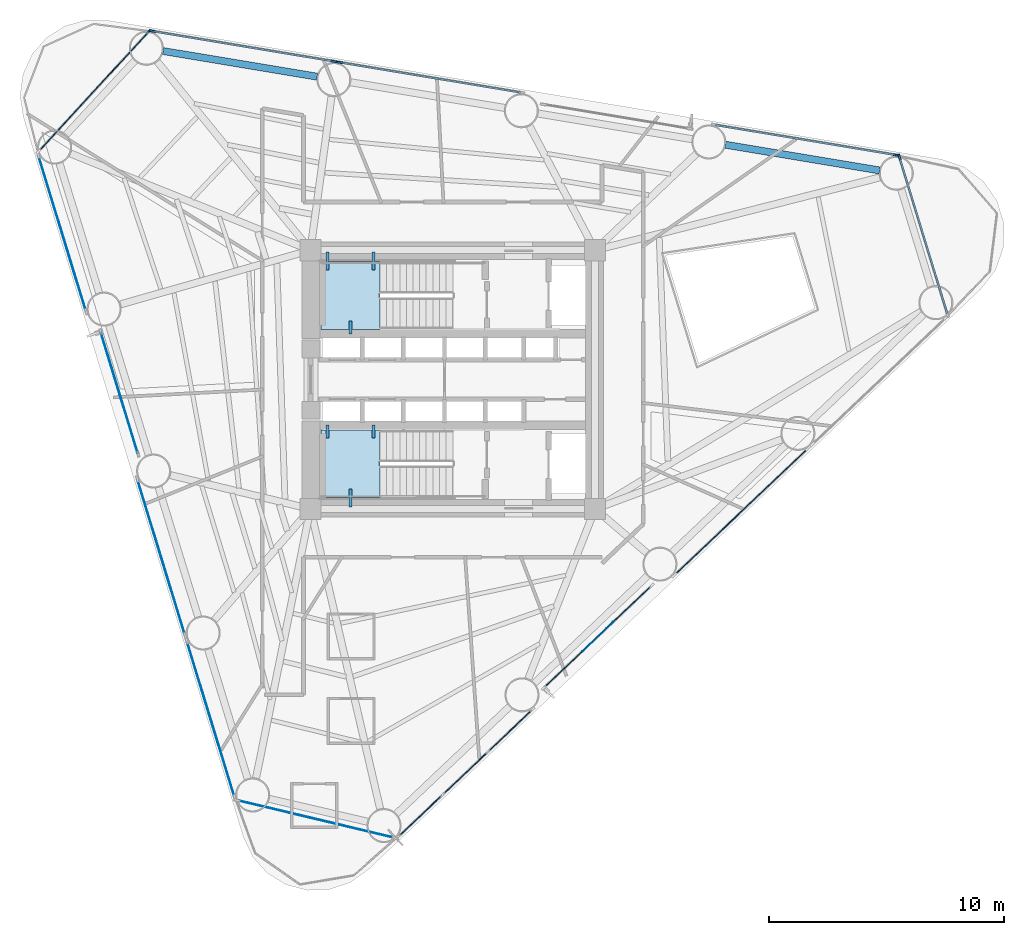
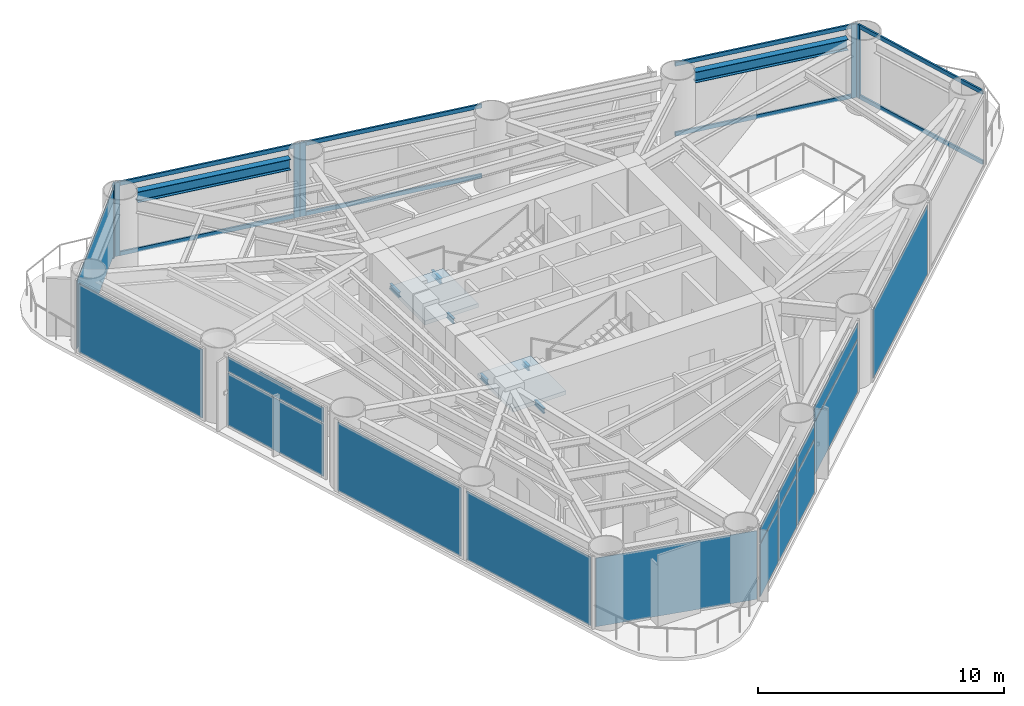
# One storey, part 4 of 10: 18 plates, 14 members, 8 beams, 2 slabs, 15 elements without a shape of their own.
"""IFC4 building model written with IfcOpenShell, lengths in metres."""

import ifcopenshell
import ifcopenshell.guid

model = None  # the IFC model being written
_history = None  # IfcOwnerHistory: only IFC2X3 demands one
_inside = {}  # id of a spatial element -> (the spatial element, [elements in it])
_under = {}  # id of a project, library or spatial element -> (it, [spatial elements below it])
_declared = {}  # id of a project -> (the project, [libraries it declares])
_typed = {}  # id of a type object -> (the type object, [elements of that type])
_made_of = {}  # id of a material, layer set ... -> (it, [elements and type objects made of it])


def new_model(schema):
    """Start an empty IFC model of exactly this schema.

    Asked for "IFC4X3", IfcOpenShell would pick the latest addendum, in which some entities
    have other attributes; the version numbers below select the first issue.
    IFC2X3 requires an IfcOwnerHistory on every rooted entity: one is made here for all.
    """
    global model, _history
    if schema == "IFC4X3":
        model = ifcopenshell.file(schema_version=(4, 3, 0, 0))
    else:
        model = ifcopenshell.file(schema=schema)
    _inside.clear()
    _under.clear()
    _declared.clear()
    _typed.clear()
    _made_of.clear()
    _history = None
    if model.schema == "IFC2X3":
        org = make("IfcOrganization", Name="unknown")
        user = make(
            "IfcPersonAndOrganization",
            ThePerson=make("IfcPerson", FamilyName="unknown"),
            TheOrganization=org,
        )
        app = make(
            "IfcApplication",
            ApplicationDeveloper=org,
            Version="unknown",
            ApplicationFullName="unknown",
            ApplicationIdentifier="unknown",
        )
        _history = make(
            "IfcOwnerHistory",
            OwningUser=user,
            OwningApplication=app,
            ChangeAction="ADDED",
            CreationDate=0,
        )
    return model


def make(cls, **values):
    """One entity of the class cls with the attributes given. An attribute that is None is left unset."""
    return model.create_entity(
        cls, **{name: value for name, value in values.items() if value is not None}
    )


def rooted(cls, **values):
    """An entity with a GlobalId (a new one), such as an element, a storey or a relation."""
    return make(cls, GlobalId=ifcopenshell.guid.new(), OwnerHistory=_history, **values)


def si_unit(unit_type, name, prefix=None):
    """IfcSIUnit, for example si_unit("LENGTHUNIT", "METRE", prefix="MILLI")."""
    return make("IfcSIUnit", UnitType=unit_type, Prefix=prefix, Name=name)


def assignment(units):
    """IfcUnitAssignment: the units of a project."""
    return None if units is None else make("IfcUnitAssignment", Units=units)


def point(xyz):
    """IfcCartesianPoint."""
    return None if xyz is None else make("IfcCartesianPoint", Coordinates=xyz)


def direction(xyz):
    """IfcDirection."""
    return None if xyz is None else make("IfcDirection", DirectionRatios=xyz)


def frame(location, z_axis=None, x_axis=None):
    """IfcAxis2Placement3D, a coordinate frame: its origin and axes. An axis left out is left unset."""
    return make(
        "IfcAxis2Placement3D",
        Location=point(location),
        Axis=direction(z_axis),
        RefDirection=direction(x_axis),
    )


def frame_2d(location, x_axis=None):
    """IfcAxis2Placement2D, a coordinate frame in the plane: its origin and x axis."""
    return make(
        "IfcAxis2Placement2D", Location=point(location), RefDirection=direction(x_axis)
    )


def origin():
    """The frame at (0, 0, 0) with its axes left unset."""
    return frame((0.0, 0.0, 0.0))


def origin_2d():
    """The frame at (0, 0) in the plane with its x axis left unset."""
    return frame_2d((0.0, 0.0))


def place(relative_to, where):
    """IfcLocalPlacement: puts the frame where relative to a parent placement (None: the world)."""
    return make(
        "IfcLocalPlacement", PlacementRelTo=relative_to, RelativePlacement=where
    )


def context(
    kind, dimensions, precision=None, world=None, true_north=None, identifier=None
):
    """IfcGeometricRepresentationContext, for example the 3D "Model" context."""
    return make(
        "IfcGeometricRepresentationContext",
        ContextIdentifier=identifier,
        ContextType=kind,
        CoordinateSpaceDimension=dimensions,
        Precision=precision,
        WorldCoordinateSystem=world,
        TrueNorth=true_north,
    )


def subcontext(parent, identifier, kind, view, scale=None):
    """IfcGeometricRepresentationSubContext, for example "Body" below "Model"."""
    return make(
        "IfcGeometricRepresentationSubContext",
        ContextIdentifier=identifier,
        ContextType=kind,
        ParentContext=parent,
        TargetScale=scale,
        TargetView=view,
    )


def project(units=None, contexts=None):
    """IfcProject with its units and contexts."""
    return rooted(
        "IfcProject",
        Name="project",
        RepresentationContexts=contexts,
        UnitsInContext=assignment(units),
    )


def spatial(cls, under=None, at=None, **own):
    """A site, building, storey or space (cls), placed at a placement, below another one or the project."""
    s = rooted(cls, ObjectPlacement=at, **own)
    if under is not None:
        _under.setdefault(under.id(), (under, []))[1].append(s)
    return s


def polyline(points):
    """IfcPolyline through the points."""
    return make("IfcPolyline", Points=[point(p) for p in points])


def profile(cls, at=None, kind="AREA", **sizes):
    """A parametric profile (cls). Its sizes go by their IFC names, for example OverallWidth=200.0."""
    return make(cls, ProfileType=kind, Position=at, **sizes)


def rectangle(**sizes):
    """IfcRectangleProfileDef."""
    return profile("IfcRectangleProfileDef", **sizes)


def i_section(**sizes):
    """IfcIShapeProfileDef."""
    return profile("IfcIShapeProfileDef", **sizes)


def outline(outer, holes=None, kind="AREA"):
    """IfcArbitraryClosedProfileDef: a profile drawn as a closed curve; with holes, ...WithVoids."""
    if holes is None:
        return make("IfcArbitraryClosedProfileDef", ProfileType=kind, OuterCurve=outer)
    return make(
        "IfcArbitraryProfileDefWithVoids",
        ProfileType=kind,
        OuterCurve=outer,
        InnerCurves=holes,
    )


def extrude(swept, where, along, depth):
    """IfcExtrudedAreaSolid: the profile swept, set in the frame where, extruded along a direction by depth."""
    return make(
        "IfcExtrudedAreaSolid",
        SweptArea=swept,
        Position=where,
        ExtrudedDirection=direction(along),
        Depth=depth,
    )


def shape(context_of_items, identifier, shape_type, items):
    """IfcShapeRepresentation: the items that make up one representation, for example the "Body"."""
    return make(
        "IfcShapeRepresentation",
        ContextOfItems=context_of_items,
        RepresentationIdentifier=identifier,
        RepresentationType=shape_type,
        Items=items,
    )


def source(mapping_origin, context_of_items, identifier, shape_type, items):
    """IfcRepresentationMap: a shape defined once, which mapped items show again and again."""
    return make(
        "IfcRepresentationMap",
        MappingOrigin=mapping_origin,
        MappedRepresentation=shape(context_of_items, identifier, shape_type, items),
    )


def transform(
    local_origin,
    x_axis=None,
    y_axis=None,
    z_axis=None,
    scale=None,
    scale2=None,
    scale3=None,
    uniform=True,
):
    """IfcCartesianTransformationOperator3D, or its non-uniform kind. x_axis, y_axis, z_axis: its Axis1, 2, 3."""
    if uniform:
        return make(
            "IfcCartesianTransformationOperator3D",
            Axis1=direction(x_axis),
            Axis2=direction(y_axis),
            LocalOrigin=point(local_origin),
            Scale=scale,
            Axis3=direction(z_axis),
        )
    return make(
        "IfcCartesianTransformationOperator3DnonUniform",
        Axis1=direction(x_axis),
        Axis2=direction(y_axis),
        LocalOrigin=point(local_origin),
        Scale=scale,
        Axis3=direction(z_axis),
        Scale2=scale2,
        Scale3=scale3,
    )


def mapped(mapping_source, mapping_target):
    """IfcMappedItem: shows the shape of a source again, moved by a transform."""
    return make(
        "IfcMappedItem", MappingSource=mapping_source, MappingTarget=mapping_target
    )


def material(Name=None, Category=None):
    """IfcMaterial."""
    return make("IfcMaterial", Name=Name, Category=Category)


def layer(
    of_material, thickness, ventilated=None, Name=None, Category=None, Priority=None
):
    """IfcMaterialLayer: one layer of a wall or slab, of a material (None: an air gap)."""
    return make(
        "IfcMaterialLayer",
        Material=of_material,
        LayerThickness=thickness,
        IsVentilated=ventilated,
        Name=Name,
        Category=Category,
        Priority=Priority,
    )


def layer_set(layers, Name=None):
    """IfcMaterialLayerSet."""
    return make("IfcMaterialLayerSet", MaterialLayers=layers, LayerSetName=Name)


def material_profile(
    of_material, cross_section, Name=None, Category=None, Priority=None
):
    """IfcMaterialProfile: a cross section and its material."""
    return make(
        "IfcMaterialProfile",
        Name=Name,
        Material=of_material,
        Profile=cross_section,
        Priority=Priority,
        Category=Category,
    )


def profile_set(profiles, Name=None, composite=None):
    """IfcMaterialProfileSet."""
    return make(
        "IfcMaterialProfileSet",
        Name=Name,
        MaterialProfiles=profiles,
        CompositeProfile=composite,
    )


def made_of(thing, what):
    """Note that an element or type object is made of a material, layer set ...; save() writes the relation."""
    if what is not None:
        _made_of.setdefault(what.id(), (what, []))[1].append(thing)
    return thing


def type_object(cls, material=None, **own):
    """A type object (cls), such as IfcWallType, which elements share."""
    return made_of(rooted(cls, **own), material)


def element(
    cls,
    number,
    at=None,
    inside=None,
    cuts=None,
    type_object=None,
    material=None,
    context=None,
    identifier="Body",
    shape_type=None,
    held_by="IfcProductDefinitionShape",
    body=None,
    shapes=None,
    **own,
):
    """One element of the class cls, such as IfcWall. Its Tag is "e" and its number.

    at: its placement. inside: the storey or other place that contains it. cuts: it is an
    opening in that element (IfcRelVoidsElement). A single representation is given by context,
    identifier, shape_type and body (its items); several are given by shapes. held_by: the class
    of the entity that holds the representations. save() writes the other relations.
    """
    e = rooted(cls, Tag="e%d" % number, ObjectPlacement=at, **own)
    if body is not None:
        shapes = [shape(context, identifier, shape_type, body)]
    if shapes is not None:
        e.Representation = make(held_by, Representations=shapes)
    if inside is not None:
        _inside.setdefault(inside.id(), (inside, []))[1].append(e)
    if cuts is not None:
        rooted(
            "IfcRelVoidsElement", RelatingBuildingElement=cuts, RelatedOpeningElement=e
        )
    if type_object is not None:
        _typed.setdefault(type_object.id(), (type_object, []))[1].append(e)
    return made_of(e, material)


def aggregate(whole, parts):
    """IfcRelAggregates: a whole, such as a stair, and the parts it consists of."""
    return rooted("IfcRelAggregates", RelatingObject=whole, RelatedObjects=parts)


def save(model, path):
    """Write the relations noted so far, then the file.

    IfcRelAggregates (storeys below a building ...), IfcRelContainedInSpatialStructure (elements
    in a storey), IfcRelDefinesByType, IfcRelAssociatesMaterial and IfcRelDeclares: one each for
    every whole, place, type object, material and project.
    """
    for whole, parts in _under.values():
        aggregate(whole, parts)
    for where, things in _inside.values():
        rooted(
            "IfcRelContainedInSpatialStructure",
            RelatedElements=things,
            RelatingStructure=where,
        )
    for kind, things in _typed.values():
        rooted("IfcRelDefinesByType", RelatedObjects=things, RelatingType=kind)
    for what, things in _made_of.values():
        rooted("IfcRelAssociatesMaterial", RelatedObjects=things, RelatingMaterial=what)
    for by, libraries in _declared.values():
        rooted("IfcRelDeclares", RelatingContext=by, RelatedDefinitions=libraries)
    model.write(path)


model = new_model("IFC4")

# Units and contexts
model_context = context("Model", 3, precision=1e-05, world=origin(), true_north=direction((0.0, 1.0)))
body_context = subcontext(model_context, "Body", "Model", "MODEL_VIEW")
ifc_project = project(units=[si_unit("LENGTHUNIT", "METRE"), si_unit("AREAUNIT", "SQUARE_METRE"), si_unit("VOLUMEUNIT", "CUBIC_METRE"), si_unit("PLANEANGLEUNIT", "RADIAN"), si_unit("MASSUNIT", "GRAM", prefix="KILO")], contexts=[model_context])

# Site, building, storey
site_placement = place(None, origin())
site = spatial("IfcSite", under=ifc_project, at=site_placement, CompositionType="ELEMENT")
building_placement = place(site_placement, origin())
building = spatial("IfcBuilding", under=site, at=building_placement, Name="Yunling Apex Tower", CompositionType="ELEMENT")
storey_placement = place(building_placement, frame((0.0, 0.0, 101.14990234375)))
storey = spatial("IfcBuildingStorey", under=building, at=storey_placement, Name="L25", CompositionType="ELEMENT", Elevation=101.14990234375)

# Beams
ifc_material_1 = material(Name="Steel Q355B", Category="steel")
ifc_material_profile_1 = material_profile(ifc_material_1, i_section(OverallWidth=0.125, OverallDepth=0.25, WebThickness=0.006103515625, FlangeThickness=0.009033203125, FilletRadius=0.011962890625, at=origin_2d()))
ifc_profile_set_1 = profile_set([ifc_material_profile_1], Name="Steel Q355B")
beam_type_1 = type_object("IfcBeamType", Name="BL-LNT-1", PredefinedType="LINTEL", material=ifc_profile_set_1)
shared_shape_1 = source(origin(), body_context, "Body", "SweptSolid", [
    extrude(i_section(OverallWidth=0.125, OverallDepth=0.25, WebThickness=0.006103515625, FlangeThickness=0.009033203125, FilletRadius=0.011962890625, at=origin_2d()), origin(), (0.0, 0.0, 1.0), 0.760009765625),
])
for number, where, z_axis, x_axis, name in (
    (1, (-5.320068359375, 5.419921875, 1.55517578125), (0.0, -1.0, 0.0), (1.0, 0.0, 0.0), "L25 ST-1 Landing Bearing Corbel 1-1"),
    (2, (-3.3701171875, 5.419921875, 1.55517578125), (0.0, -1.0, 0.0), (1.0, 0.0, 0.0), "L25 ST-1 Landing Bearing Corbel 1-2"),
    (3, (-4.344970703125, -5.419921875, 1.55517578125), (0.0, 1.0, 0.0), (-1.0, 0.0, 0.0), "L25 ST-2 Landing Bearing Corbel 1-3"),
):
    element("IfcBeam", number, at=place(storey_placement, frame(where, z_axis=z_axis, x_axis=x_axis)), inside=storey, type_object=beam_type_1, Name=name, PredefinedType="LINTEL", context=body_context, shape_type="MappedRepresentation", body=[
        mapped(shared_shape_1, transform((0.0, 0.0, 0.0), scale=1.0)),
    ])
shared_shape_2 = source(origin(), body_context, "Body", "SweptSolid", [
    extrude(i_section(OverallWidth=0.125, OverallDepth=0.25, WebThickness=0.006103515625, FlangeThickness=0.009033203125, FilletRadius=0.011962890625, at=origin_2d()), origin(), (0.0, 0.0, 1.0), 0.550048828125),
])
for number, where, z_axis, x_axis, name in (
    (4, (-4.344970703125, 1.93994140625, 1.55517578125), (0.0, 1.0, 0.0), (-1.0, 0.0, 0.0), "L25 ST-1 Landing Bearing Corbel 1-3"),
    (5, (-5.320068359375, -1.93994140625, 1.55517578125), (0.0, -1.0, 0.0), (1.0, 0.0, 0.0), "L25 ST-2 Landing Bearing Corbel 1-1"),
    (6, (-3.3701171875, -1.93994140625, 1.55517578125), (0.0, -1.0, 0.0), (1.0, 0.0, 0.0), "L25 ST-2 Landing Bearing Corbel 1-2"),
):
    element("IfcBeam", number, at=place(storey_placement, frame(where, z_axis=z_axis, x_axis=x_axis)), inside=storey, type_object=beam_type_1, Name=name, PredefinedType="LINTEL", context=body_context, shape_type="MappedRepresentation", body=[
        mapped(shared_shape_2, transform((0.0, 0.0, 0.0), scale=1.0)),
    ])
ifc_material_profile_2 = material_profile(ifc_material_1, i_section(OverallWidth=0.300048828125, OverallDepth=0.5400390625, WebThickness=0.011962890625, FlangeThickness=0.02001953125, FilletRadius=0.02392578125, at=origin_2d()))
ifc_profile_set_2 = profile_set([ifc_material_profile_2], Name="Steel Q355B")
beam_type_2 = type_object("IfcBeamType", Name="BP-SPN-1", PredefinedType="SPANDREL", material=ifc_profile_set_2)
shared_shape_3 = source(origin(), body_context, "Body", "SweptSolid", [
    extrude(i_section(OverallWidth=0.300048828125, OverallDepth=0.5400390625, WebThickness=0.011962890625, FlangeThickness=0.02001953125, FilletRadius=0.02392578125, at=origin_2d()), origin(), (0.0, 0.0, 1.0), 6.641845703125),
])
for number, where, z_axis, x_axis, name in (
    (7, (18.14599609375, 8.89111328125, 3.295166015625), (-0.986396904036, 0.164381105081, 0.0), (-0.164381105081, -0.986396904036, 0.0), "L25 Perimeter Spandrel Beam 6"),
    (8, (-5.763671875, 12.875244140625, 3.295166015625), (-0.986402863526, 0.164345340146, 0.0), (-0.164345340146, -0.986402863526, 0.0), "L25 Perimeter Spandrel Beam 9"),
):
    element("IfcBeam", number, at=place(storey_placement, frame(where, z_axis=z_axis, x_axis=x_axis)), inside=storey, type_object=beam_type_2, Name=name, PredefinedType="SPANDREL", context=body_context, shape_type="MappedRepresentation", body=[
        mapped(shared_shape_3, transform((0.0, 0.0, 0.0), scale=1.0)),
    ])

# Curtain wall, member
ifc_material_2 = material(Name="Bronze anodised aluminium", Category="aluminium")
ifc_layer_1 = layer(ifc_material_2, 0.260009765625)
ifc_layer_set_1 = layer_set([ifc_layer_1], Name="Bronze anodised aluminium")
curtain_wall_type = type_object("IfcCurtainWallType", Name="CW-SYS-2", PredefinedType="NOTDEFINED", material=ifc_layer_set_1)
curtain_wall_1_placement = place(storey_placement, origin())
curtain_wall_1 = element("IfcCurtainWall", 9, at=curtain_wall_1_placement, inside=storey, type_object=curtain_wall_type, Name="CW-L25-CRN1", PredefinedType="NOTDEFINED")
ifc_material_profile_3 = material_profile(ifc_material_2, rectangle(XDim=0.0849609375, YDim=0.260009765625, at=origin_2d()))
ifc_profile_set_3 = profile_set([ifc_material_profile_3], Name="Bronze anodised aluminium")
member_type_1 = type_object("IfcMemberType", Name="CW-MUL-2", PredefinedType="MULLION", material=ifc_profile_set_3)
shared_shape_4 = source(origin(), body_context, "Body", "SweptSolid", [
    extrude(rectangle(XDim=0.0849609375, YDim=0.260009765625, at=origin_2d()), origin(), (0.0, 0.0, 1.0), 3.664794921875),
])
member_1_placement = place(storey_placement, frame((18.9892578125, 9.46240234375, -0.0498046875), z_axis=(0.0, 0.0, 1.0), x_axis=(-0.95630374567, -0.292375009223, 0.0)))
member_1 = element("IfcMember", 10, at=member_1_placement, type_object=member_type_1, Name="CW-SYS-2 mullion 2", PredefinedType="MULLION", context=body_context, shape_type="MappedRepresentation", body=[
    mapped(shared_shape_4, transform((0.0, 0.0, 0.0), scale=1.0)),
])

curtain_wall_2_placement = place(storey_placement, origin())
curtain_wall_2 = element("IfcCurtainWall", 11, at=curtain_wall_2_placement, inside=storey, type_object=curtain_wall_type, Name="CW-L25-F2-B1", PredefinedType="NOTDEFINED")
member_2_placement = place(storey_placement, frame((18.859375, 9.54296875, -0.0498046875), z_axis=(0.0, 0.0, 1.0), x_axis=(-0.16436008369, -0.98640040698, 0.0)))
member_2 = element("IfcMember", 12, at=member_2_placement, type_object=member_type_1, Name="CW-SYS-2 mullion 1", PredefinedType="MULLION", context=body_context, shape_type="MappedRepresentation", body=[
    mapped(shared_shape_4, transform((0.0, 0.0, 0.0), scale=1.0)),
])

curtain_wall_3_placement = place(storey_placement, origin())
curtain_wall_3 = element("IfcCurtainWall", 13, at=curtain_wall_3_placement, inside=storey, type_object=curtain_wall_type, Name="CW-L25-F2-B3", PredefinedType="NOTDEFINED")
member_3_placement = place(storey_placement, frame((-4.80859375, 13.486572265625, -0.0498046875), z_axis=(0.0, 0.0, 1.0), x_axis=(-0.164362130784, -0.986400065878, 0.0)))
member_3 = element("IfcMember", 14, at=member_3_placement, type_object=member_type_1, Name="CW-SYS-2 mullion 2", PredefinedType="MULLION", context=body_context, shape_type="MappedRepresentation", body=[
    mapped(shared_shape_4, transform((0.0, 0.0, 0.0), scale=1.0)),
])

# Curtain wall, members
curtain_wall_4_placement = place(storey_placement, origin())
curtain_wall_4 = element("IfcCurtainWall", 15, at=curtain_wall_4_placement, inside=storey, type_object=curtain_wall_type, Name="CW-L25-F2-B4", PredefinedType="NOTDEFINED")
member_4_placement = place(storey_placement, frame((-5.05029296875, 13.52685546875, -0.0498046875), z_axis=(0.0, 0.0, 1.0), x_axis=(-0.16436008369, -0.98640040698, 0.0)))
member_4 = element("IfcMember", 16, at=member_4_placement, type_object=member_type_1, Name="CW-SYS-2 mullion 1", PredefinedType="MULLION", context=body_context, shape_type="MappedRepresentation", body=[
    mapped(shared_shape_4, transform((0.0, 0.0, 0.0), scale=1.0)),
])
member_5_placement = place(storey_placement, frame((-12.778564453125, 14.814697265625, -0.0498046875), z_axis=(0.0, 0.0, 1.0), x_axis=(-0.16436008369, -0.98640040698, 0.0)))
member_5 = element("IfcMember", 17, at=member_5_placement, type_object=member_type_1, Name="CW-SYS-2 mullion 2", PredefinedType="MULLION", context=body_context, shape_type="MappedRepresentation", body=[
    mapped(shared_shape_4, transform((0.0, 0.0, 0.0), scale=1.0)),
])

# Curtain wall, member
curtain_wall_5_placement = place(storey_placement, origin())
curtain_wall_5 = element("IfcCurtainWall", 18, at=curtain_wall_5_placement, inside=storey, type_object=curtain_wall_type, Name="CW-L25-CRN2", PredefinedType="NOTDEFINED")
member_6_placement = place(storey_placement, frame((-12.931396484375, 14.78369140625, -0.0498046875), z_axis=(0.0, 0.0, 1.0), x_axis=(0.736184624933, -0.676780760669, 0.0)))
member_6 = element("IfcMember", 19, at=member_6_placement, type_object=member_type_1, Name="CW-SYS-2 mullion 1", PredefinedType="MULLION", context=body_context, shape_type="MappedRepresentation", body=[
    mapped(shared_shape_4, transform((0.0, 0.0, 0.0), scale=1.0)),
])

# Member
ifc_material_profile_4 = material_profile(ifc_material_2, rectangle(XDim=0.0849609375, YDim=0.199951171875, at=origin_2d()))
ifc_profile_set_4 = profile_set([ifc_material_profile_4], Name="Bronze anodised aluminium")
member_type_2 = type_object("IfcMemberType", Name="CW-TRN-2", PredefinedType="USERDEFINED", material=ifc_profile_set_4)
shared_shape_5 = source(origin(), body_context, "Body", "SweptSolid", [
    extrude(rectangle(XDim=0.0849609375, YDim=0.199951171875, at=origin_2d()), origin(), (0.0, 0.0, 1.0), 7.75830078125),
])
member_7_placement = place(storey_placement, frame((18.821533203125, 9.549072265625, 0.04248046875), z_axis=(-0.986400726912, 0.164358163615, 0.0), x_axis=(-0.164358163615, -0.986400726912, 0.0)))
member_7 = element("IfcMember", 20, at=member_7_placement, type_object=member_type_2, Name="CW-SYS-2 transom 1.1", ObjectType="TRANSOM", PredefinedType="USERDEFINED", context=body_context, shape_type="MappedRepresentation", body=[
    mapped(shared_shape_5, transform((0.0, 0.0, 0.0), scale=1.0)),
])

member_8_placement = place(storey_placement, frame((18.821533203125, 9.549072265625, 3.522705078125), z_axis=(-0.986400726912, 0.164358163615, 0.0), x_axis=(-0.164358163615, -0.986400726912, 0.0)))
member_8 = element("IfcMember", 21, at=member_8_placement, type_object=member_type_2, Name="CW-SYS-2 transom 1.2", ObjectType="TRANSOM", PredefinedType="USERDEFINED", context=body_context, shape_type="MappedRepresentation", body=[
    mapped(shared_shape_5, transform((0.0, 0.0, 0.0), scale=1.0)),
])

aggregate(curtain_wall_2, [member_2, member_7, member_8])

member_9_placement = place(storey_placement, frame((2.8818359375, 12.205078125, 0.04248046875), z_axis=(-0.986400726912, 0.164358163615, 0.0), x_axis=(-0.164358163615, -0.986400726912, 0.0)))
member_9 = element("IfcMember", 22, at=member_9_placement, type_object=member_type_2, Name="CW-SYS-2 transom 1.1", ObjectType="TRANSOM", PredefinedType="USERDEFINED", context=body_context, shape_type="MappedRepresentation", body=[
    mapped(shared_shape_5, transform((0.0, 0.0, 0.0), scale=1.0)),
])

member_10_placement = place(storey_placement, frame((2.8818359375, 12.205078125, 3.522705078125), z_axis=(-0.986400726912, 0.164358163615, 0.0), x_axis=(-0.164358163615, -0.986400726912, 0.0)))
member_10 = element("IfcMember", 23, at=member_10_placement, type_object=member_type_2, Name="CW-SYS-2 transom 1.2", ObjectType="TRANSOM", PredefinedType="USERDEFINED", context=body_context, shape_type="MappedRepresentation", body=[
    mapped(shared_shape_5, transform((0.0, 0.0, 0.0), scale=1.0)),
])

aggregate(curtain_wall_3, [member_3, member_9, member_10])

member_11_placement = place(storey_placement, frame((-5.088134765625, 13.533203125, 0.04248046875), z_axis=(-0.986400726912, 0.164358163615, 0.0), x_axis=(-0.164358163615, -0.986400726912, 0.0)))
member_11 = element("IfcMember", 24, at=member_11_placement, type_object=member_type_2, Name="CW-SYS-2 transom 1.1", ObjectType="TRANSOM", PredefinedType="USERDEFINED", context=body_context, shape_type="MappedRepresentation", body=[
    mapped(shared_shape_5, transform((0.0, 0.0, 0.0), scale=1.0)),
])

member_12_placement = place(storey_placement, frame((-5.088134765625, 13.533203125, 3.522705078125), z_axis=(-0.986400726912, 0.164358163615, 0.0), x_axis=(-0.164358163615, -0.986400726912, 0.0)))
member_12 = element("IfcMember", 25, at=member_12_placement, type_object=member_type_2, Name="CW-SYS-2 transom 1.2", ObjectType="TRANSOM", PredefinedType="USERDEFINED", context=body_context, shape_type="MappedRepresentation", body=[
    mapped(shared_shape_5, transform((0.0, 0.0, 0.0), scale=1.0)),
])

aggregate(curtain_wall_4, [member_4, member_5, member_11, member_12])

shared_shape_6 = source(origin(), body_context, "Body", "SweptSolid", [
    extrude(rectangle(XDim=0.0849609375, YDim=0.199951171875, at=origin_2d()), origin(), (0.0, 0.0, 1.0), 6.91748046875),
])
member_13_placement = place(storey_placement, frame((21.02294921875, 2.810546875, 0.04248046875), z_axis=(-0.292369169584, 0.956305531029, 0.0), x_axis=(-0.956305531029, -0.292369169584, 0.0)))
member_13 = element("IfcMember", 26, at=member_13_placement, type_object=member_type_2, Name="CW-SYS-2 transom 1.1", ObjectType="TRANSOM", PredefinedType="USERDEFINED", context=body_context, shape_type="MappedRepresentation", body=[
    mapped(shared_shape_6, transform((0.0, 0.0, 0.0), scale=1.0)),
])

member_14_placement = place(storey_placement, frame((21.02294921875, 2.810546875, 3.522705078125), z_axis=(-0.292369169584, 0.956305531029, 0.0), x_axis=(-0.956305531029, -0.292369169584, 0.0)))
member_14 = element("IfcMember", 27, at=member_14_placement, type_object=member_type_2, Name="CW-SYS-2 transom 1.2", ObjectType="TRANSOM", PredefinedType="USERDEFINED", context=body_context, shape_type="MappedRepresentation", body=[
    mapped(shared_shape_6, transform((0.0, 0.0, 0.0), scale=1.0)),
])

aggregate(curtain_wall_1, [member_1, member_13, member_14])

# Stair, slab
ifc_material_3 = material(Name="Concrete C40", Category="concrete")
stair_type = type_object("IfcStairType", Name="ST-TWR-1", PredefinedType="HALF_TURN_STAIR", material=ifc_material_3)
stair_1_placement = place(storey_placement, origin())
stair_1 = element("IfcStair", 28, at=stair_1_placement, inside=storey, type_object=stair_type, Name="L25 North Core Smokeproof Exit Stair ST-1", PredefinedType="HALF_TURN_STAIR")
ifc_layer_2 = layer(ifc_material_3, 0.195068359375)
ifc_layer_set_2 = layer_set([ifc_layer_2], Name="Concrete C40")
slab_type = type_object("IfcSlabType", Name="SL-LND-1", PredefinedType="LANDING", material=ifc_layer_set_2)
slab_1_placement = place(storey_placement, frame((0.0, 0.0, 1.68017578125)))
slab_1 = element("IfcSlab", 29, at=slab_1_placement, type_object=slab_type, Name="ST-1 landing 1", PredefinedType="LANDING", context=body_context, shape_type="SweptSolid", body=[
    extrude(outline(polyline([(-3.090087890625, 5.010009765625), (-5.60009765625, 5.010009765625), (-5.60009765625, 2.139892578125), (-3.090087890625, 2.139892578125), (-3.090087890625, 5.010009765625)])), origin(), (0.0, 0.0, 1.0), 0.19482421875),
])
aggregate(stair_1, [slab_1])

stair_2_placement = place(storey_placement, origin())
stair_2 = element("IfcStair", 30, at=stair_2_placement, inside=storey, type_object=stair_type, Name="L25 South Core Smokeproof Exit Stair ST-2", PredefinedType="HALF_TURN_STAIR")
slab_2_placement = place(storey_placement, frame((0.0, 0.0, 1.68017578125)))
slab_2 = element("IfcSlab", 31, at=slab_2_placement, type_object=slab_type, Name="ST-2 landing 1", PredefinedType="LANDING", context=body_context, shape_type="SweptSolid", body=[
    extrude(outline(polyline([(-3.090087890625, -2.139892578125), (-5.60009765625, -2.139892578125), (-5.60009765625, -5.010009765625), (-3.090087890625, -5.010009765625), (-3.090087890625, -2.139892578125)])), origin(), (0.0, 0.0, 1.0), 0.19482421875),
])
aggregate(stair_2, [slab_2])

# Plates
ifc_layer_3 = layer(ifc_material_2, 0.011962890625)
ifc_layer_set_3 = layer_set([ifc_layer_3], Name="Bronze anodised aluminium")
plate_type_1 = type_object("IfcPlateType", Name="SP-SHT-1", PredefinedType="SHEET", material=ifc_layer_set_3)
shared_shape_7 = source(origin(), body_context, "Body", "SweptSolid", [
    extrude(rectangle(XDim=1.800048828125, YDim=0.02392578125, at=origin_2d()), origin(), (0.0, 0.0, 1.0), 0.43994140625),
])
for number, where, z_axis, x_axis, name in (
    (32, (6.16455078125, -10.928466796875, 3.1650390625), (0.0, 0.0, 1.0), (0.725854756355, 0.687848001144, 0.0), "SP-GRV-L25-F1"),
    (33, (-14.17138671875, -0.56787109375, 3.1650390625), (0.0, 0.0, 1.0), (0.292371704723, -0.956304755963, 0.0), "SP-GRV-L25-F3"),
):
    element("IfcPlate", number, at=place(storey_placement, frame(where, z_axis=z_axis, x_axis=x_axis)), inside=storey, type_object=plate_type_1, Name=name, PredefinedType="SHEET", context=body_context, shape_type="MappedRepresentation", body=[
        mapped(shared_shape_7, transform((0.0, 0.0, 0.0), scale=1.0)),
    ])

# Curtain wall, plates
curtain_wall_6_placement = place(storey_placement, origin())
curtain_wall_6 = element("IfcCurtainWall", 34, at=curtain_wall_6_placement, inside=storey, type_object=curtain_wall_type, Name="CW-L25-F1-B1", PredefinedType="NOTDEFINED")
ifc_material_4 = material(Name="Bronze tinted low-E glass", Category="glass")
ifc_layer_4 = layer(ifc_material_4, 0.033935546875)
ifc_layer_set_4 = layer_set([ifc_layer_4], Name="Bronze tinted low-E glass")
plate_type_2 = type_object("IfcPlateType", Name="CW-PNL-2", PredefinedType="CURTAIN_PANEL", material=ifc_layer_set_4)
shared_shape_8 = source(origin(), body_context, "Body", "SweptSolid", [
    extrude(rectangle(XDim=2.52880859375, YDim=0.033935546875, at=origin_2d()), origin(), (0.0, 0.0, 1.0), 2.60400390625),
])
plate_1_placement = place(storey_placement, frame((-1.366943359375, -18.5341796875, 0.076904296875), z_axis=(0.0, 0.0, 1.0), x_axis=(0.72584218686, 0.687861264918, 0.0)))
plate_1 = element("IfcPlate", 35, at=plate_1_placement, type_object=plate_type_2, Name="CW-SYS-2 panel 1.1", PredefinedType="CURTAIN_PANEL", context=body_context, shape_type="MappedRepresentation", body=[
    mapped(shared_shape_8, transform((0.0, 0.0, 0.0), scale=1.0)),
])
plate_2_placement = place(storey_placement, frame((2.4345703125, -14.931640625, 0.076904296875), z_axis=(0.0, 0.0, 1.0), x_axis=(0.72584218686, 0.687861264918, 0.0)))
plate_2 = element("IfcPlate", 36, at=plate_2_placement, type_object=plate_type_2, Name="CW-SYS-2 panel 3.1", PredefinedType="CURTAIN_PANEL", context=body_context, shape_type="MappedRepresentation", body=[
    mapped(shared_shape_8, transform((0.0, 0.0, 0.0), scale=1.0)),
])
shared_shape_9 = source(origin(), body_context, "Body", "SweptSolid", [
    extrude(rectangle(XDim=2.52880859375, YDim=0.033935546875, at=origin_2d()), origin(), (0.0, 0.0, 1.0), 0.739013671875),
])
plate_3_placement = place(storey_placement, frame((-1.366943359375, -18.5341796875, 2.74951171875), z_axis=(0.0, 0.0, 1.0), x_axis=(0.72584218686, 0.687861264918, 0.0)))
plate_3 = element("IfcPlate", 37, at=plate_3_placement, type_object=plate_type_2, Name="CW-SYS-2 panel 1.2", PredefinedType="CURTAIN_PANEL", context=body_context, shape_type="MappedRepresentation", body=[
    mapped(shared_shape_9, transform((0.0, 0.0, 0.0), scale=1.0)),
])
plate_4_placement = place(storey_placement, frame((2.4345703125, -14.931640625, 2.74951171875), z_axis=(0.0, 0.0, 1.0), x_axis=(0.72584218686, 0.687861264918, 0.0)))
plate_4 = element("IfcPlate", 38, at=plate_4_placement, type_object=plate_type_2, Name="CW-SYS-2 panel 3.2", PredefinedType="CURTAIN_PANEL", context=body_context, shape_type="MappedRepresentation", body=[
    mapped(shared_shape_9, transform((0.0, 0.0, 0.0), scale=1.0)),
])
shared_shape_10 = source(origin(), body_context, "Body", "SweptSolid", [
    extrude(rectangle(XDim=2.571533203125, YDim=0.033935546875, at=origin_2d()), origin(), (0.0, 0.0, 1.0), 2.60400390625),
])
plate_5_placement = place(storey_placement, frame((0.53369140625, -16.73291015625, 0.076904296875), z_axis=(0.0, 0.0, 1.0), x_axis=(0.72584218686, 0.687861264918, 0.0)))
plate_5 = element("IfcPlate", 39, at=plate_5_placement, type_object=plate_type_2, Name="CW-SYS-2 panel 2.1", PredefinedType="CURTAIN_PANEL", context=body_context, shape_type="MappedRepresentation", body=[
    mapped(shared_shape_10, transform((0.0, 0.0, 0.0), scale=1.0)),
])
shared_shape_11 = source(origin(), body_context, "Body", "SweptSolid", [
    extrude(rectangle(XDim=2.571533203125, YDim=0.033935546875, at=origin_2d()), origin(), (0.0, 0.0, 1.0), 0.739013671875),
])
plate_6_placement = place(storey_placement, frame((0.53369140625, -16.73291015625, 2.74951171875), z_axis=(0.0, 0.0, 1.0), x_axis=(0.72584218686, 0.687861264918, 0.0)))
plate_6 = element("IfcPlate", 40, at=plate_6_placement, type_object=plate_type_2, Name="CW-SYS-2 panel 2.2", PredefinedType="CURTAIN_PANEL", context=body_context, shape_type="MappedRepresentation", body=[
    mapped(shared_shape_11, transform((0.0, 0.0, 0.0), scale=1.0)),
])
aggregate(curtain_wall_6, [plate_1, plate_3, plate_5, plate_6, plate_2, plate_4])

curtain_wall_7_placement = place(storey_placement, origin())
curtain_wall_7 = element("IfcCurtainWall", 41, at=curtain_wall_7_placement, inside=storey, type_object=curtain_wall_type, Name="CW-L25-F1-B2", PredefinedType="NOTDEFINED")
shared_shape_12 = source(origin(), body_context, "Body", "SweptSolid", [
    extrude(rectangle(XDim=6.236328125, YDim=0.033935546875, at=origin_2d()), origin(), (0.0, 0.0, 1.0), 2.60400390625),
])
plate_7_placement = place(storey_placement, frame((6.16455078125, -10.928466796875, 0.076904296875), z_axis=(0.0, 0.0, 1.0), x_axis=(0.725858092234, 0.687844480924, 0.0)))
plate_7 = element("IfcPlate", 42, at=plate_7_placement, type_object=plate_type_2, Name="CW-SYS-2 panel 1.1", PredefinedType="CURTAIN_PANEL", context=body_context, shape_type="MappedRepresentation", body=[
    mapped(shared_shape_12, transform((0.0, 0.0, 0.0), scale=1.0)),
])
shared_shape_13 = source(origin(), body_context, "Body", "SweptSolid", [
    extrude(rectangle(XDim=6.236328125, YDim=0.033935546875, at=origin_2d()), origin(), (0.0, 0.0, 1.0), 0.739013671875),
])
plate_8_placement = place(storey_placement, frame((6.16455078125, -10.928466796875, 2.74951171875), z_axis=(0.0, 0.0, 1.0), x_axis=(0.725858092234, 0.687844480924, 0.0)))
plate_8 = element("IfcPlate", 43, at=plate_8_placement, type_object=plate_type_2, Name="CW-SYS-2 panel 1.2", PredefinedType="CURTAIN_PANEL", context=body_context, shape_type="MappedRepresentation", body=[
    mapped(shared_shape_13, transform((0.0, 0.0, 0.0), scale=1.0)),
])
aggregate(curtain_wall_7, [plate_7, plate_8])

# Curtain wall, plate
curtain_wall_8_placement = place(storey_placement, origin())
curtain_wall_8 = element("IfcCurtainWall", 44, at=curtain_wall_8_placement, inside=storey, type_object=curtain_wall_type, Name="CW-L25-F1-B3", PredefinedType="NOTDEFINED")
shared_shape_14 = source(origin(), body_context, "Body", "SweptSolid", [
    extrude(rectangle(XDim=7.766357421875, YDim=0.033935546875, at=origin_2d()), origin(), (0.0, 0.0, 1.0), 3.41162109375),
])
plate_9_placement = place(storey_placement, frame((12.26318359375, -5.61767578125, 0.076904296875), z_axis=(0.0, 0.0, 1.0), x_axis=(0.72584218686, 0.687861264918, 0.0)))
plate_9 = element("IfcPlate", 45, at=plate_9_placement, type_object=plate_type_2, Name="CW-SYS-2 panel 1.1", PredefinedType="CURTAIN_PANEL", context=body_context, shape_type="MappedRepresentation", body=[
    mapped(shared_shape_14, transform((0.0, 0.0, 0.0), scale=1.0)),
])
aggregate(curtain_wall_8, [plate_9])

# Plate
shared_shape_15 = source(origin(), body_context, "Body", "SweptSolid", [
    extrude(rectangle(XDim=6.83935546875, YDim=0.033935546875, at=origin_2d()), origin(), (0.0, 0.0, 1.0), 3.41162109375),
])
plate_10_placement = place(storey_placement, frame((-15.26904296875, 12.240966796875, 0.076904296875), z_axis=(0.0, 0.0, 1.0), x_axis=(-0.676780760669, -0.736184624933, 0.0)))
plate_10 = element("IfcPlate", 46, at=plate_10_placement, type_object=plate_type_2, Name="CW-SYS-2 panel 1.1", PredefinedType="CURTAIN_PANEL", context=body_context, shape_type="MappedRepresentation", body=[
    mapped(shared_shape_15, transform((0.0, 0.0, 0.0), scale=1.0)),
])

aggregate(curtain_wall_5, [member_6, plate_10])

# Curtain wall, plate
curtain_wall_9_placement = place(storey_placement, origin())
curtain_wall_9 = element("IfcCurtainWall", 47, at=curtain_wall_9_placement, inside=storey, type_object=curtain_wall_type, Name="CW-L25-CRN3", PredefinedType="NOTDEFINED")
plate_11_placement = place(storey_placement, frame((-5.8134765625, -18.6865234375, 0.076904296875), z_axis=(0.0, 0.0, 1.0), x_axis=(0.972740811528, -0.23189504865, 0.0)))
plate_11 = element("IfcPlate", 48, at=plate_11_placement, type_object=plate_type_2, Name="CW-SYS-2 panel 1.1", PredefinedType="CURTAIN_PANEL", context=body_context, shape_type="MappedRepresentation", body=[
    mapped(shared_shape_15, transform((0.0, 0.0, 0.0), scale=1.0)),
])
aggregate(curtain_wall_9, [plate_11])

curtain_wall_10_placement = place(storey_placement, origin())
curtain_wall_10 = element("IfcCurtainWall", 49, at=curtain_wall_10_placement, inside=storey, type_object=curtain_wall_type, Name="CW-L25-F3-B1", PredefinedType="NOTDEFINED")
shared_shape_16 = source(origin(), body_context, "Body", "SweptSolid", [
    extrude(rectangle(XDim=6.88671875, YDim=0.033935546875, at=origin_2d()), origin(), (0.0, 0.0, 1.0), 3.41162109375),
])
plate_12_placement = place(storey_placement, frame((-16.601806640625, 6.21826171875, 0.076904296875), z_axis=(0.0, 0.0, 1.0), x_axis=(0.292372619321, -0.956304476342, 0.0)))
plate_12 = element("IfcPlate", 50, at=plate_12_placement, type_object=plate_type_2, Name="CW-SYS-2 panel 1.1", PredefinedType="CURTAIN_PANEL", context=body_context, shape_type="MappedRepresentation", body=[
    mapped(shared_shape_16, transform((0.0, 0.0, 0.0), scale=1.0)),
])
aggregate(curtain_wall_10, [plate_12])

curtain_wall_11_placement = place(storey_placement, origin())
curtain_wall_11 = element("IfcCurtainWall", 51, at=curtain_wall_11_placement, inside=storey, type_object=curtain_wall_type, Name="CW-L25-F3-B3", PredefinedType="NOTDEFINED")
plate_13_placement = place(storey_placement, frame((-12.3916015625, -7.552978515625, 0.076904296875), z_axis=(0.0, 0.0, 1.0), x_axis=(0.292372619321, -0.956304476342, 0.0)))
plate_13 = element("IfcPlate", 52, at=plate_13_placement, type_object=plate_type_2, Name="CW-SYS-2 panel 1.1", PredefinedType="CURTAIN_PANEL", context=body_context, shape_type="MappedRepresentation", body=[
    mapped(shared_shape_16, transform((0.0, 0.0, 0.0), scale=1.0)),
])
aggregate(curtain_wall_11, [plate_13])

curtain_wall_12_placement = place(storey_placement, origin())
curtain_wall_12 = element("IfcCurtainWall", 53, at=curtain_wall_12_placement, inside=storey, type_object=curtain_wall_type, Name="CW-L25-F3-B4", PredefinedType="NOTDEFINED")
plate_14_placement = place(storey_placement, frame((-10.286376953125, -14.438720703125, 0.076904296875), z_axis=(0.0, 0.0, 1.0), x_axis=(0.292372619321, -0.956304476342, 0.0)))
plate_14 = element("IfcPlate", 54, at=plate_14_placement, type_object=plate_type_2, Name="CW-SYS-2 panel 1.1", PredefinedType="CURTAIN_PANEL", context=body_context, shape_type="MappedRepresentation", body=[
    mapped(shared_shape_16, transform((0.0, 0.0, 0.0), scale=1.0)),
])
aggregate(curtain_wall_12, [plate_14])

# Curtain wall, plates
curtain_wall_13_placement = place(storey_placement, origin())
curtain_wall_13 = element("IfcCurtainWall", 55, at=curtain_wall_13_placement, inside=storey, type_object=curtain_wall_type, Name="CW-L25-F3-B2", PredefinedType="NOTDEFINED")
shared_shape_17 = source(origin(), body_context, "Body", "SweptSolid", [
    extrude(rectangle(XDim=5.356689453125, YDim=0.033935546875, at=origin_2d()), origin(), (0.0, 0.0, 1.0), 2.60400390625),
])
plate_15_placement = place(storey_placement, frame((-14.17138671875, -0.56787109375, 0.076904296875), z_axis=(0.0, 0.0, 1.0), x_axis=(0.292363767199, -0.956307182672, 0.0)))
plate_15 = element("IfcPlate", 56, at=plate_15_placement, type_object=plate_type_2, Name="CW-SYS-2 panel 1.1", PredefinedType="CURTAIN_PANEL", context=body_context, shape_type="MappedRepresentation", body=[
    mapped(shared_shape_17, transform((0.0, 0.0, 0.0), scale=1.0)),
])
shared_shape_18 = source(origin(), body_context, "Body", "SweptSolid", [
    extrude(rectangle(XDim=5.356689453125, YDim=0.033935546875, at=origin_2d()), origin(), (0.0, 0.0, 1.0), 0.739013671875),
])
plate_16_placement = place(storey_placement, frame((-14.17138671875, -0.56787109375, 2.74951171875), z_axis=(0.0, 0.0, 1.0), x_axis=(0.292363767199, -0.956307182672, 0.0)))
plate_16 = element("IfcPlate", 57, at=plate_16_placement, type_object=plate_type_2, Name="CW-SYS-2 panel 1.2", PredefinedType="CURTAIN_PANEL", context=body_context, shape_type="MappedRepresentation", body=[
    mapped(shared_shape_18, transform((0.0, 0.0, 0.0), scale=1.0)),
])
aggregate(curtain_wall_13, [plate_15, plate_16])

save(model, "model.ifc")
